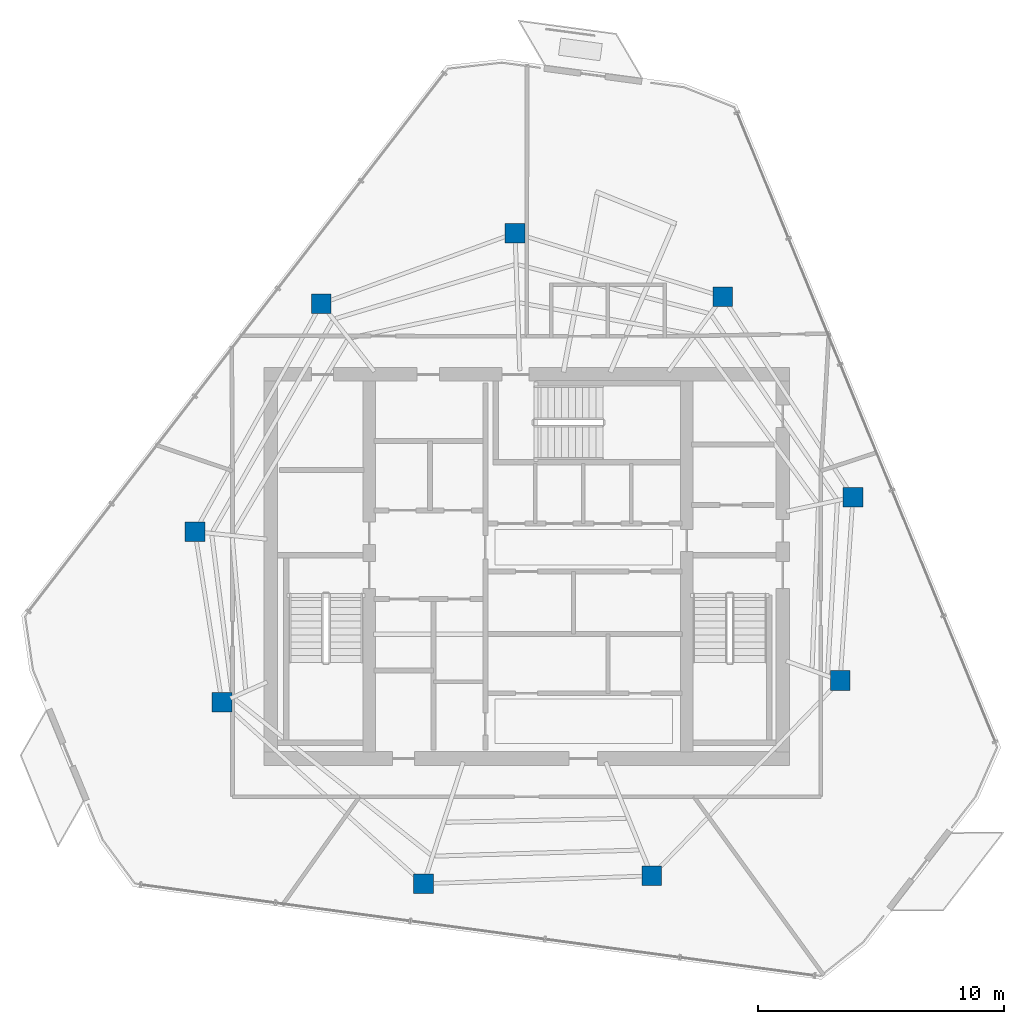
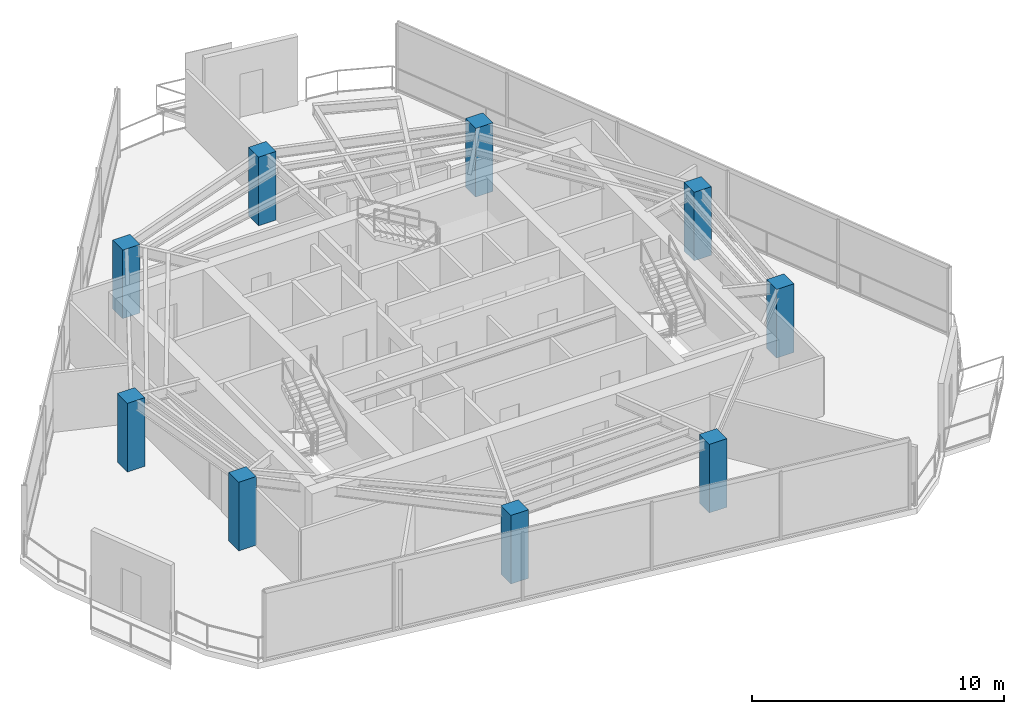
# One storey, part 1 of 19: 9 columns.
"""IFC4 building model written with IfcOpenShell, lengths in metres."""

from ifc_helpers import new_model, si_unit, direction, frame, origin, origin_2d, place, context, subcontext, project, spatial, rectangle, extrude, material, material_profile, profile_set, type_object, element, save


model = new_model("IFC4")

# Units and contexts
model_context = context("Model", 3, precision=1e-05, world=origin(), true_north=direction((0.0, 1.0)))
body_context = subcontext(model_context, "Body", "Model", "MODEL_VIEW")
ifc_project = project(units=[si_unit("LENGTHUNIT", "METRE"), si_unit("AREAUNIT", "SQUARE_METRE"), si_unit("VOLUMEUNIT", "CUBIC_METRE"), si_unit("PLANEANGLEUNIT", "RADIAN"), si_unit("MASSUNIT", "GRAM", prefix="KILO")], contexts=[model_context])

# Site, building, storey
site_placement = place(None, origin())
site = spatial("IfcSite", under=ifc_project, at=site_placement, CompositionType="ELEMENT")
building_placement = place(site_placement, origin())
building = spatial("IfcBuilding", under=site, at=building_placement, Name="Qarnah Convention Tower", CompositionType="ELEMENT")
storey_placement = place(building_placement, frame((0.0, 0.0, 264.300048828125)))
storey = spatial("IfcBuildingStorey", under=building, at=storey_placement, Name="L71", CompositionType="ELEMENT", Elevation=264.300048828125)

# Columns
ifc_material = material(Name="Concrete C50/60", Category="concrete")
ifc_material_profile = material_profile(ifc_material, rectangle(XDim=0.800048828125, YDim=0.800048828125, at=origin_2d()), Name="RC-COL-800X800")
ifc_profile_set = profile_set([ifc_material_profile], Name="Concrete C50/60")
column_type = type_object("IfcColumnType", Name="COL-Z5-800", PredefinedType="COLUMN", material=ifc_profile_set)
for number, where, z_axis, x_axis, name in (
    (1, (50.4541015625, 29.217041015625, 0.0), (0.0, 0.0, 1.0), (1.0, 0.0, 0.0), "L71 plumb column PC-Z5-01"),
    (2, (45.1640625, 37.362060546875, 0.0), (0.0, 0.0, 1.0), (1.0, 0.0, 0.0), "L71 plumb column PC-Z5-02"),
    (3, (36.72705078125, 39.94189453125, 0.0), (0.0, 0.0, 1.0), (1.0, 0.0, 0.0), "L71 plumb column PC-Z5-03"),
    (4, (28.85791015625, 37.077880859375, 0.0), (0.0, 0.0, 1.0), (1.0, 0.0, 0.0), "L71 plumb column PC-Z5-04"),
    (5, (23.72412109375, 27.81591796875, 0.0), (0.0, 0.0, 1.0), (1.0, 0.0, 0.0), "L71 plumb column PC-Z5-05"),
    (6, (24.821044921875, 20.888916015625, 0.0), (0.0, 0.0, 1.0), (1.0, 0.0, 0.0), "L71 plumb column PC-Z5-06"),
    (7, (33.012939453125, 13.512939453125, 0.0), (0.0, 0.0, 1.0), (1.0, 0.0, 0.0), "L71 plumb column PC-Z5-07"),
    (8, (42.27587890625, 13.8369140625, 0.0), (0.0, 0.0, 1.0), (1.0, 0.0, 0.0), "L71 plumb column PC-Z5-08"),
    (9, (49.93310546875, 21.76611328125, 0.0), (0.0, 0.0, 1.0), (1.0, 0.0, 0.0), "L71 plumb column PC-Z5-09"),
):
    element("IfcColumn", number, at=place(storey_placement, frame(where, z_axis=z_axis, x_axis=x_axis)), inside=storey, type_object=column_type, Name=name, PredefinedType="COLUMN", context=body_context, shape_type="SweptSolid", body=[
        extrude(rectangle(XDim=0.800048828125, YDim=0.800048828125, at=origin_2d()), origin(), (0.0, 0.0, 1.0), 3.320068359375),
    ])

save(model, "model.ifc")
